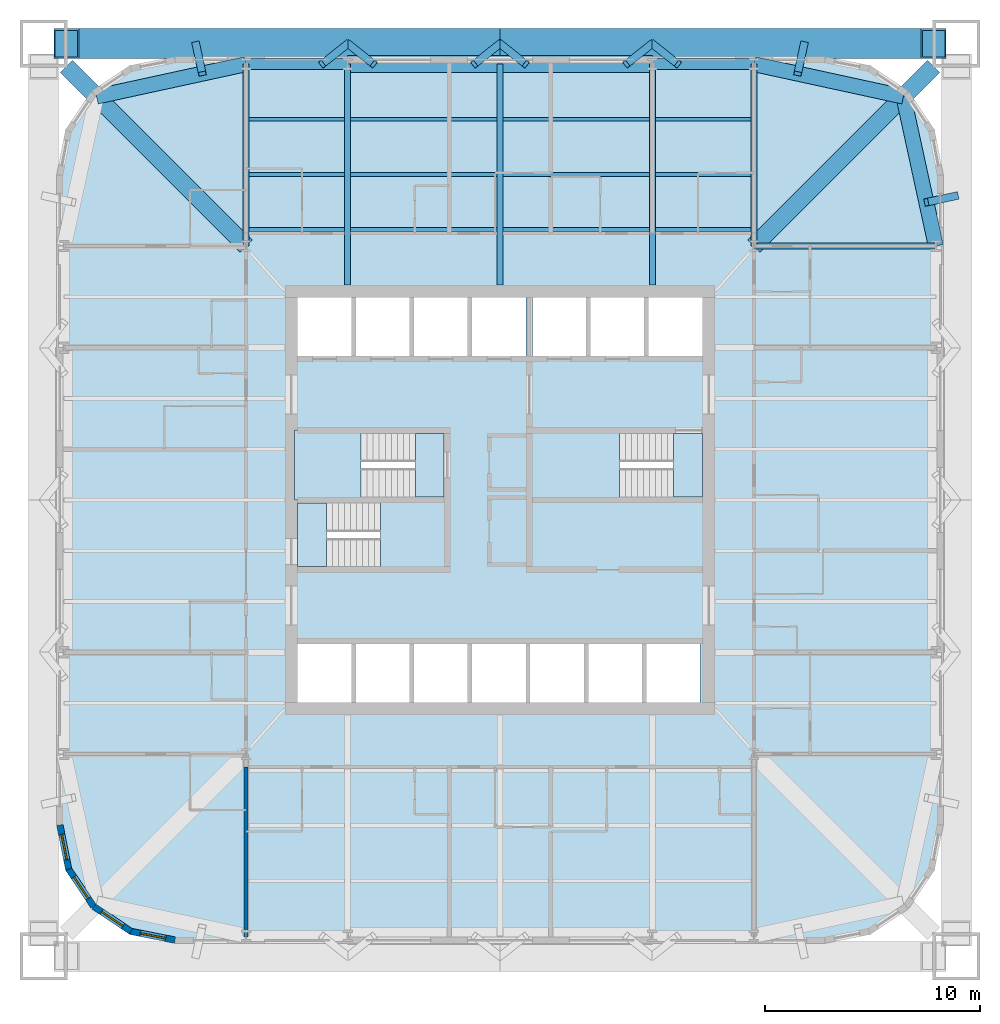
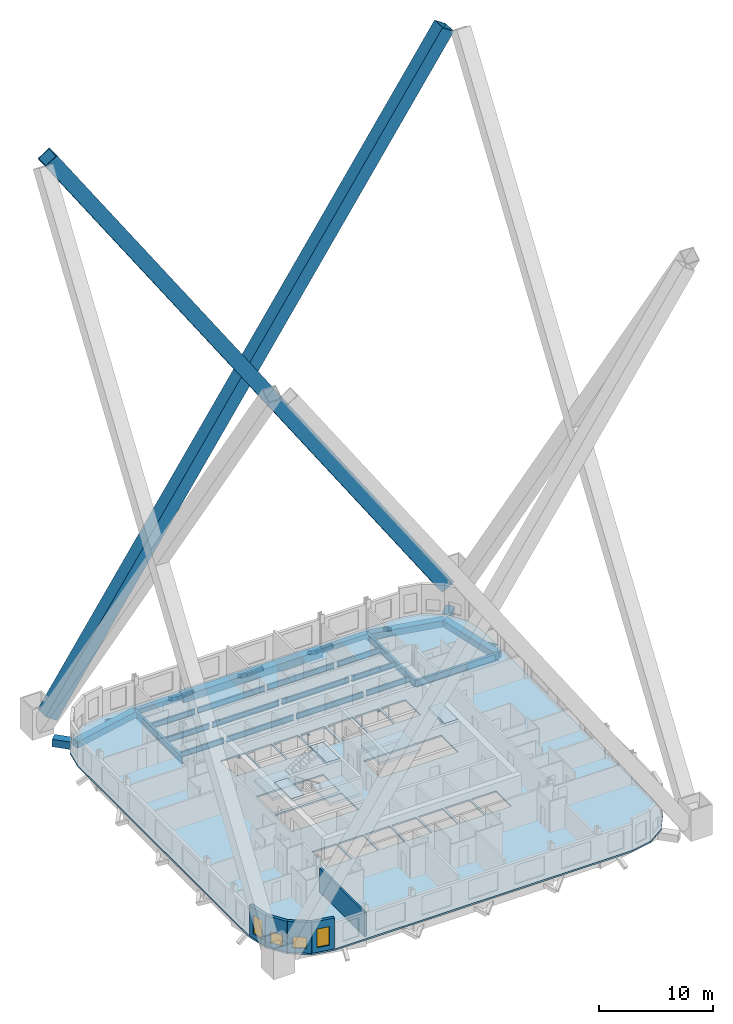
# One storey, part 2 of 9: 35 beams, 7 slabs, 5 walls, 4 windows, 2 members, 4 openings, 3 elements without a shape of their own.
"""IFC4 building model written with IfcOpenShell, lengths in metres."""

from ifc_helpers import new_model, si_unit, direction, frame, frame_2d, origin, origin_2d, place, context, subcontext, project, spatial, polyline, rectangle, hollow_rectangle, i_section, outline, extrude, material, layer, layer_set, material_profile, profile_set, type_object, element, fill, aggregate, save


model = new_model("IFC4")

# Units and contexts
model_context = context("Model", 3, precision=1e-05, world=origin(), true_north=direction((0.0, 1.0)))
body_context = subcontext(model_context, "Body", "Model", "MODEL_VIEW")
ifc_project = project(units=[si_unit("LENGTHUNIT", "METRE"), si_unit("AREAUNIT", "SQUARE_METRE"), si_unit("VOLUMEUNIT", "CUBIC_METRE"), si_unit("PLANEANGLEUNIT", "RADIAN"), si_unit("MASSUNIT", "GRAM", prefix="KILO")], contexts=[model_context])

# Site, building, storey
site_placement = place(None, origin())
site = spatial("IfcSite", under=ifc_project, at=site_placement, CompositionType="ELEMENT")
building_placement = place(site_placement, origin())
building = spatial("IfcBuilding", under=site, at=building_placement, Name="Turquesa Mirador Hotel Tower", CompositionType="ELEMENT")
storey_placement = place(building_placement, frame((0.0, 0.0, 93.39990234375)))
storey = spatial("IfcBuildingStorey", under=building, at=storey_placement, Name="L24", CompositionType="ELEMENT", Elevation=93.39990234375)

# Beams
ifc_material_1 = material(Name="Steel ASTM A572 Grade 50", Category="steel")
ifc_material_profile_1 = material_profile(ifc_material_1, hollow_rectangle(XDim=0.5, YDim=0.5, WallThickness=0.031982421875, at=origin_2d()), Name="BOX500X500X32")
ifc_profile_set_1 = profile_set([ifc_material_profile_1], Name="Steel ASTM A572 Grade 50")
beam_type_1 = type_object("IfcBeamType", Name="BEAM BOX500X500X32", PredefinedType="BEAM", material=ifc_profile_set_1)
for number, where, z_axis, x_axis, name in (
    (1, (43.199951171875, 65.25, -0.419921875), (1.0, 0.0, 0.0), (0.0, 1.0, 0.0), "EB-L24-N-L"),
    (2, (62.080078125, 65.25, -0.419921875), (1.0, 0.0, 0.0), (0.0, 1.0, 0.0), "EB-L24-N-R"),
):
    element("IfcBeam", number, at=place(storey_placement, frame(where, z_axis=z_axis, x_axis=x_axis)), inside=storey, type_object=beam_type_1, Name=name, PredefinedType="BEAM", context=body_context, shape_type="SweptSolid", body=[
        extrude(hollow_rectangle(XDim=0.5, YDim=0.5, WallThickness=0.031982421875, at=origin_2d()), origin(), (0.0, 0.0, 1.0), 4.719970703125),
    ])
ifc_material_2 = material(Name="Steel ASTM A572 Grade 50", Category="steel")
ifc_material_profile_2 = material_profile(ifc_material_2, hollow_rectangle(XDim=0.699951171875, YDim=0.699951171875, WallThickness=0.044921875, at=origin_2d()), Name="BOX700X700X45")
ifc_profile_set_2 = profile_set([ifc_material_profile_2], Name="Steel ASTM A572 Grade 50")
beam_type_2 = type_object("IfcBeamType", Name="BEAM BOX700X700X45", PredefinedType="BEAM", material=ifc_profile_set_2)
for number, where, z_axis, x_axis, name in (
    (3, (75.25, 56.800048828125, -0.52001953125), (-0.212328336885, 0.977198381781, 0.0), (-0.977198381781, -0.212328336885, 0.0), "KE-L24-1-0"),
    (4, (73.74169921875, 63.74169921875, -0.52001953125), (-0.977198381781, 0.212328336885, 0.0), (-0.212328336885, -0.977198381781, 0.0), "KE-L24-1-1"),
    (5, (36.25830078125, 63.74169921875, -0.52001953125), (0.977198381781, 0.212328336885, 0.0), (-0.212328336885, 0.977198381781, 0.0), "KE-L24-2-1"),
):
    element("IfcBeam", number, at=place(storey_placement, frame(where, z_axis=z_axis, x_axis=x_axis)), inside=storey, type_object=beam_type_2, Name=name, PredefinedType="BEAM", context=body_context, shape_type="SweptSolid", body=[
        extrude(hollow_rectangle(XDim=0.699951171875, YDim=0.699951171875, WallThickness=0.044921875, at=origin_2d()), origin(), (0.0, 0.0, 1.0), 7.103515625),
    ])
ifc_material_3 = material(Name="Steel ASTM A572 Grade 50", Category="steel")
ifc_material_profile_3 = material_profile(ifc_material_3, hollow_rectangle(XDim=0.800048828125, YDim=0.800048828125, WallThickness=0.030029296875, at=origin_2d()), Name="BOX800X800X30")
ifc_profile_set_3 = profile_set([ifc_material_profile_3], Name="Steel ASTM A572 Grade 50")
beam_type_3 = type_object("IfcBeamType", Name="BEAM BOX800X800X30", PredefinedType="BEAM", material=ifc_profile_set_3)
beam_1_placement = place(storey_placement, frame((47.919921875, 65.25, -0.56982421875), z_axis=(1.0, 0.0, 0.0), x_axis=(0.0, 1.0, 0.0)))
element("IfcBeam", 6, at=beam_1_placement, inside=storey, type_object=beam_type_3, Name="EB-L24-N-C", PredefinedType="BEAM", context=body_context, shape_type="SweptSolid", body=[
    extrude(hollow_rectangle(XDim=0.800048828125, YDim=0.800048828125, WallThickness=0.030029296875, at=origin_2d()), origin(), (0.0, 0.0, 1.0), 14.16015625),
])
ifc_material_4 = material(Name="Steel ASTM A572 Grade 50", Category="steel")
ifc_material_profile_4 = material_profile(ifc_material_4, hollow_rectangle(XDim=0.800048828125, YDim=0.800048828125, WallThickness=0.050048828125, at=origin_2d()), Name="BOX800X800X50")
ifc_profile_set_4 = profile_set([ifc_material_profile_4], Name="Steel ASTM A572 Grade 50")
beam_type_4 = type_object("IfcBeamType", Name="BEAM BOX800X800X50", PredefinedType="BEAM", material=ifc_profile_set_4)
for number, where, z_axis, x_axis, name in (
    (7, (66.800048828125, 56.800048828125, -0.56982421875), (0.707106781187, 0.707106781187, 0.0), (-0.707106781187, 0.707106781187, 0.0), "KD-L24-1"),
    (8, (43.199951171875, 56.800048828125, -0.56982421875), (-0.707106781187, 0.707106781187, 0.0), (-0.707106781187, -0.707106781187, 0.0), "KD-L24-2"),
):
    element("IfcBeam", number, at=place(storey_placement, frame(where, z_axis=z_axis, x_axis=x_axis)), inside=storey, type_object=beam_type_4, Name=name, PredefinedType="BEAM", context=body_context, shape_type="SweptSolid", body=[
        extrude(hollow_rectangle(XDim=0.800048828125, YDim=0.800048828125, WallThickness=0.050048828125, at=origin_2d()), origin(), (0.0, 0.0, 1.0), 11.80859375),
    ])
ifc_material_5 = material(Name="Steel ASTM A992 Grade 50", Category="steel")
ifc_material_profile_5 = material_profile(ifc_material_5, i_section(OverallWidth=0.177978515625, OverallDepth=0.599365234375, WebThickness=0.010009765625, FlangeThickness=0.012939453125, at=origin_2d()), Name="W24X55")
ifc_profile_set_5 = profile_set([ifc_material_profile_5], Name="Steel ASTM A992 Grade 50")
beam_type_5 = type_object("IfcBeamType", Name="BEAM W24X55", PredefinedType="BEAM", material=ifc_profile_set_5)
beam_2_placement = place(storey_placement, frame((43.333251953125, 57.56201171875, -0.4697265625), z_axis=(1.0, 0.0, 0.0), x_axis=(0.0, 1.0, 0.0)))
element("IfcBeam", 9, at=beam_2_placement, inside=storey, type_object=beam_type_5, Name="IB-L24-N-1-0", PredefinedType="BEAM", context=body_context, shape_type="SweptSolid", body=[
    extrude(i_section(OverallWidth=0.177978515625, OverallDepth=0.599365234375, WebThickness=0.010009765625, FlangeThickness=0.012939453125, at=origin_2d()), origin(), (0.0, 0.0, 1.0), 4.453369140625),
])
for number, where, z_axis, x_axis, name in (
    (10, (48.053466796875, 57.56201171875, -0.4697265625), (1.0, 0.0, 0.0), (0.0, 1.0, 0.0), "IB-L24-N-1-1"),
    (11, (55.13330078125, 57.56201171875, -0.4697265625), (1.0, 0.0, 0.0), (0.0, 1.0, 0.0), "IB-L24-N-1-2"),
):
    element("IfcBeam", number, at=place(storey_placement, frame(where, z_axis=z_axis, x_axis=x_axis)), inside=storey, type_object=beam_type_5, Name=name, PredefinedType="BEAM", context=body_context, shape_type="SweptSolid", body=[
        extrude(i_section(OverallWidth=0.177978515625, OverallDepth=0.599365234375, WebThickness=0.010009765625, FlangeThickness=0.012939453125, at=origin_2d()), origin(), (0.0, 0.0, 1.0), 6.813232421875),
    ])
for number, where, z_axis, x_axis, name in (
    (12, (62.21337890625, 57.56201171875, -0.4697265625), (1.0, 0.0, 0.0), (0.0, 1.0, 0.0), "IB-L24-N-1-3"),
    (13, (43.333251953125, 60.125, -0.4697265625), (1.0, 0.0, 0.0), (0.0, 1.0, 0.0), "IB-L24-N-2-0"),
):
    element("IfcBeam", number, at=place(storey_placement, frame(where, z_axis=z_axis, x_axis=x_axis)), inside=storey, type_object=beam_type_5, Name=name, PredefinedType="BEAM", context=body_context, shape_type="SweptSolid", body=[
        extrude(i_section(OverallWidth=0.177978515625, OverallDepth=0.599365234375, WebThickness=0.010009765625, FlangeThickness=0.012939453125, at=origin_2d()), origin(), (0.0, 0.0, 1.0), 4.453369140625),
    ])
for number, where, z_axis, x_axis, name in (
    (14, (48.053466796875, 60.125, -0.4697265625), (1.0, 0.0, 0.0), (0.0, 1.0, 0.0), "IB-L24-N-2-1"),
    (15, (55.13330078125, 60.125, -0.4697265625), (1.0, 0.0, 0.0), (0.0, 1.0, 0.0), "IB-L24-N-2-2"),
):
    element("IfcBeam", number, at=place(storey_placement, frame(where, z_axis=z_axis, x_axis=x_axis)), inside=storey, type_object=beam_type_5, Name=name, PredefinedType="BEAM", context=body_context, shape_type="SweptSolid", body=[
        extrude(i_section(OverallWidth=0.177978515625, OverallDepth=0.599365234375, WebThickness=0.010009765625, FlangeThickness=0.012939453125, at=origin_2d()), origin(), (0.0, 0.0, 1.0), 6.813232421875),
    ])
for number, where, z_axis, x_axis, name in (
    (16, (62.21337890625, 60.125, -0.4697265625), (1.0, 0.0, 0.0), (0.0, 1.0, 0.0), "IB-L24-N-2-3"),
    (17, (43.333251953125, 62.68798828125, -0.4697265625), (1.0, 0.0, 0.0), (0.0, 1.0, 0.0), "IB-L24-N-3-0"),
):
    element("IfcBeam", number, at=place(storey_placement, frame(where, z_axis=z_axis, x_axis=x_axis)), inside=storey, type_object=beam_type_5, Name=name, PredefinedType="BEAM", context=body_context, shape_type="SweptSolid", body=[
        extrude(i_section(OverallWidth=0.177978515625, OverallDepth=0.599365234375, WebThickness=0.010009765625, FlangeThickness=0.012939453125, at=origin_2d()), origin(), (0.0, 0.0, 1.0), 4.453369140625),
    ])
for number, where, z_axis, x_axis, name in (
    (18, (48.053466796875, 62.68798828125, -0.4697265625), (1.0, 0.0, 0.0), (0.0, 1.0, 0.0), "IB-L24-N-3-1"),
    (19, (55.13330078125, 62.68798828125, -0.4697265625), (1.0, 0.0, 0.0), (0.0, 1.0, 0.0), "IB-L24-N-3-2"),
):
    element("IfcBeam", number, at=place(storey_placement, frame(where, z_axis=z_axis, x_axis=x_axis)), inside=storey, type_object=beam_type_5, Name=name, PredefinedType="BEAM", context=body_context, shape_type="SweptSolid", body=[
        extrude(i_section(OverallWidth=0.177978515625, OverallDepth=0.599365234375, WebThickness=0.010009765625, FlangeThickness=0.012939453125, at=origin_2d()), origin(), (0.0, 0.0, 1.0), 6.813232421875),
    ])
beam_3_placement = place(storey_placement, frame((62.21337890625, 62.68798828125, -0.4697265625), z_axis=(1.0, 0.0, 0.0), x_axis=(0.0, 1.0, 0.0)))
element("IfcBeam", 20, at=beam_3_placement, inside=storey, type_object=beam_type_5, Name="IB-L24-N-3-3", PredefinedType="BEAM", context=body_context, shape_type="SweptSolid", body=[
    extrude(i_section(OverallWidth=0.177978515625, OverallDepth=0.599365234375, WebThickness=0.010009765625, FlangeThickness=0.012939453125, at=origin_2d()), origin(), (0.0, 0.0, 1.0), 4.453369140625),
])
ifc_material_6 = material(Name="Steel ASTM A992 Grade 50", Category="steel")
ifc_material_profile_6 = material_profile(ifc_material_6, i_section(OverallWidth=0.2666015625, OverallDepth=0.7568359375, WebThickness=0.013916015625, FlangeThickness=0.019287109375, at=origin_2d()), Name="W30X108")
ifc_profile_set_6 = profile_set([ifc_material_profile_6], Name="Steel ASTM A992 Grade 50")
beam_type_6 = type_object("IfcBeamType", Name="BEAM W30X108", PredefinedType="BEAM", material=ifc_profile_set_6)
for number, where, z_axis, x_axis, name in (
    (21, (47.919921875, 65.25, -0.54833984375), (0.0, -1.0, 0.0), (1.0, 0.0, 0.0), "GD-L24-N--7.08"),
    (22, (62.080078125, 65.25, -0.54833984375), (0.0, -1.0, 0.0), (1.0, 0.0, 0.0), "GD-L24-N-+7.08"),
    (23, (55.0, 65.25, -0.54833984375), (0.0, -1.0, 0.0), (1.0, 0.0, 0.0), "GD-L24-N-+0.00"),
):
    element("IfcBeam", number, at=place(storey_placement, frame(where, z_axis=z_axis, x_axis=x_axis)), inside=storey, type_object=beam_type_6, Name=name, PredefinedType="BEAM", context=body_context, shape_type="SweptSolid", body=[
        extrude(i_section(OverallWidth=0.2666015625, OverallDepth=0.7568359375, WebThickness=0.013916015625, FlangeThickness=0.019287109375, at=origin_2d()), origin(), (0.0, 0.0, 1.0), 10.25),
    ])
for number, where, z_axis, x_axis, name in (
    (24, (43.199951171875, 65.25, -0.54833984375), (0.0, -1.0, 0.0), (1.0, 0.0, 0.0), "GK-L24-N--11.80"),
    (25, (66.800048828125, 65.25, -0.54833984375), (0.0, -1.0, 0.0), (1.0, 0.0, 0.0), "GK-L24-N-+11.80"),
    (26, (75.25, 56.800048828125, -0.54833984375), (-1.0, 0.0, 0.0), (0.0, -1.0, 0.0), "GK-L24-E-+11.80"),
):
    element("IfcBeam", number, at=place(storey_placement, frame(where, z_axis=z_axis, x_axis=x_axis)), inside=storey, type_object=beam_type_6, Name=name, PredefinedType="BEAM", context=body_context, shape_type="SweptSolid", body=[
        extrude(i_section(OverallWidth=0.2666015625, OverallDepth=0.7568359375, WebThickness=0.013916015625, FlangeThickness=0.019287109375, at=origin_2d()), origin(), (0.0, 0.0, 1.0), 8.449951171875),
    ])
ifc_material_7 = material(Name="Steel ASTM A500 Grade C", Category="steel")
ifc_material_profile_7 = material_profile(ifc_material_7, hollow_rectangle(XDim=0.355712890625, YDim=0.355712890625, WallThickness=0.0146484375, at=origin_2d()), Name="HSS14X14X5/8")
ifc_profile_set_7 = profile_set([ifc_material_profile_7], Name="Steel ASTM A500 Grade C")
beam_type_7 = type_object("IfcBeamType", Name="BRACE STRUT HSS14X14X5/8", PredefinedType="BEAM", material=ifc_profile_set_7)
beam_4_placement = place(storey_placement, frame((40.86669921875, 66.199951171875, -1.199951171875), z_axis=(0.182140919677, -0.838466156089, 0.513613853467), x_axis=(0.977208851358, 0.21228014704, 0.0)))
element("IfcBeam", 27, at=beam_4_placement, inside=storey, type_object=beam_type_7, Name="Brace strut", PredefinedType="BEAM", context=body_context, shape_type="SweptSolid", body=[
    extrude(hollow_rectangle(XDim=0.355712890625, YDim=0.355712890625, WallThickness=0.0146484375, at=origin_2d()), origin(), (0.0, 0.0, 1.0), 1.659423828125),
])
for number, where, z_axis, x_axis, name in (
    (28, (47.933349609375, 66.199951171875, -1.199951171875), (-0.684993724285, -0.542280891392, 0.486533691044), (0.620698858423, -0.784049059149, 0.0), "Brace strut"),
    (29, (47.933349609375, 66.199951171875, -1.199951171875), (0.684993724285, -0.542280891392, 0.486533691044), (0.620698858423, 0.784049059149, 0.0), "Brace strut"),
    (30, (55.0, 66.199951171875, -1.199951171875), (-0.684993724285, -0.542280891392, 0.486533691044), (0.620698858423, -0.784049059149, 0.0), "Brace strut"),
    (31, (55.0, 66.199951171875, -1.199951171875), (0.684993724285, -0.542280891392, 0.486533691044), (0.620698858423, 0.784049059149, 0.0), "Brace strut"),
    (32, (62.066650390625, 66.199951171875, -1.199951171875), (-0.684993724285, -0.542280891392, 0.486533691044), (0.620698858423, -0.784049059149, 0.0), "Brace strut"),
    (33, (62.066650390625, 66.199951171875, -1.199951171875), (0.684993724285, -0.542280891392, 0.486533691044), (0.620698858423, 0.784049059149, 0.0), "Brace strut"),
):
    element("IfcBeam", number, at=place(storey_placement, frame(where, z_axis=z_axis, x_axis=x_axis)), inside=storey, type_object=beam_type_7, Name=name, PredefinedType="BEAM", context=body_context, shape_type="SweptSolid", body=[
        extrude(hollow_rectangle(XDim=0.355712890625, YDim=0.355712890625, WallThickness=0.0146484375, at=origin_2d()), origin(), (0.0, 0.0, 1.0), 1.751708984375),
    ])
for number, where, z_axis, x_axis, name in (
    (34, (69.13330078125, 66.199951171875, -1.199951171875), (-0.182140919677, -0.838466156089, 0.513613853467), (0.977208851358, -0.21228014704, 0.0), "Brace strut"),
    (35, (76.199951171875, 59.13330078125, -1.199951171875), (-0.838466156089, -0.182140919677, 0.513613853467), (0.21228014704, -0.977208851358, 0.0), "Brace strut"),
):
    element("IfcBeam", number, at=place(storey_placement, frame(where, z_axis=z_axis, x_axis=x_axis)), inside=storey, type_object=beam_type_7, Name=name, PredefinedType="BEAM", context=body_context, shape_type="SweptSolid", body=[
        extrude(hollow_rectangle(XDim=0.355712890625, YDim=0.355712890625, WallThickness=0.0146484375, at=origin_2d()), origin(), (0.0, 0.0, 1.0), 1.659423828125),
    ])

# Members
ifc_material_8 = material(Name="Steel ASTM A572 Grade 50", Category="steel")
ifc_material_profile_8 = material_profile(ifc_material_8, hollow_rectangle(XDim=1.39990234375, YDim=1.39990234375, WallThickness=0.080078125, at=origin_2d()), Name="BOX1400X1400X80")
ifc_profile_set_8 = profile_set([ifc_material_profile_8], Name="Steel ASTM A572 Grade 50")
member_type = type_object("IfcMemberType", Name="MEGA BRACE BOX1400X1400X80", PredefinedType="BRACE", material=ifc_profile_set_8)
for number, where, z_axis, x_axis, name in (
    (36, (34.85009765625, 66.199951171875, 1.560302734375), (0.558340151614, 0.0, 0.829612123282), (0.0, 1.0, 0.0), "Mega brace Z2 N 1"),
    (37, (75.14990234375, 66.199951171875, 1.560302734375), (-0.558340151614, 0.0, 0.829612123282), (0.0, -1.0, 0.0), "Mega brace Z2 N 2"),
):
    element("IfcMember", number, at=place(storey_placement, frame(where, z_axis=z_axis, x_axis=x_axis)), inside=storey, type_object=member_type, Name=name, PredefinedType="BRACE", context=body_context, shape_type="SweptSolid", body=[
        extrude(hollow_rectangle(XDim=1.39990234375, YDim=1.39990234375, WallThickness=0.080078125, at=origin_2d()), origin(), (0.0, 0.0, 1.0), 72.177978515625),
    ])

# Slab
ifc_material_9 = material(Name="Concrete C28/35", Category="concrete")
ifc_layer_1 = layer(ifc_material_9, 0.169921875)
ifc_layer_set_1 = layer_set([ifc_layer_1], Name="COMPOSITE FLOOR SLAB 170")
slab_type_1 = type_object("IfcSlabType", Name="COMPOSITE FLOOR SLAB 170", PredefinedType="FLOOR", material=ifc_layer_set_1)
slab_1_placement = place(storey_placement, frame((0.0, 0.0, -0.169921875)))
element("IfcSlab", 38, at=slab_1_placement, inside=storey, type_object=slab_type_1, Name="Floor slab L24", PredefinedType="FLOOR", context=body_context, shape_type="SweptSolid", body=[
    extrude(outline(polyline([(70.10009765625, 24.39990234375), (72.204833984375, 24.818603515625), (73.989013671875, 26.010986328125), (75.181396484375, 27.795166015625), (75.60009765625, 29.89990234375), (75.60009765625, 60.10009765625), (75.181396484375, 62.204833984375), (73.989013671875, 63.989013671875), (72.204833984375, 65.181396484375), (70.10009765625, 65.60009765625), (39.89990234375, 65.60009765625), (37.795166015625, 65.181396484375), (36.010986328125, 63.989013671875), (34.818603515625, 62.204833984375), (34.39990234375, 60.10009765625), (34.39990234375, 29.89990234375), (34.818603515625, 27.795166015625), (36.010986328125, 26.010986328125), (37.795166015625, 24.818603515625), (39.89990234375, 24.39990234375), (70.10009765625, 24.39990234375)]), holes=[polyline([(45.60009765625, 51.699951171875), (48.10009765625, 51.699951171875), (48.10009765625, 54.39990234375), (45.60009765625, 54.39990234375), (45.60009765625, 51.699951171875)]), polyline([(48.300048828125, 51.699951171875), (50.800048828125, 51.699951171875), (50.800048828125, 54.39990234375), (48.300048828125, 54.39990234375), (48.300048828125, 51.699951171875)]), polyline([(51.0, 51.699951171875), (53.5, 51.699951171875), (53.5, 54.39990234375), (51.0, 54.39990234375), (51.0, 51.699951171875)]), polyline([(53.699951171875, 51.699951171875), (56.199951171875, 51.699951171875), (56.199951171875, 54.39990234375), (53.699951171875, 54.39990234375), (53.699951171875, 51.699951171875)]), polyline([(56.5, 51.699951171875), (59.0, 51.699951171875), (59.0, 54.39990234375), (56.5, 54.39990234375), (56.5, 51.699951171875)]), polyline([(59.199951171875, 51.699951171875), (61.699951171875, 51.699951171875), (61.699951171875, 54.39990234375), (59.199951171875, 54.39990234375), (59.199951171875, 51.699951171875)]), polyline([(45.60009765625, 35.60009765625), (48.10009765625, 35.60009765625), (48.10009765625, 38.300048828125), (45.60009765625, 38.300048828125), (45.60009765625, 35.60009765625)]), polyline([(48.300048828125, 35.60009765625), (50.800048828125, 35.60009765625), (50.800048828125, 38.300048828125), (48.300048828125, 38.300048828125), (48.300048828125, 35.60009765625)]), polyline([(51.0, 35.60009765625), (53.5, 35.60009765625), (53.5, 38.300048828125), (51.0, 38.300048828125), (51.0, 35.60009765625)]), polyline([(53.699951171875, 35.60009765625), (56.199951171875, 35.60009765625), (56.199951171875, 38.300048828125), (53.699951171875, 38.300048828125), (53.699951171875, 35.60009765625)]), polyline([(56.39990234375, 35.60009765625), (58.89990234375, 35.60009765625), (58.89990234375, 38.300048828125), (56.39990234375, 38.300048828125), (56.39990234375, 35.60009765625)]), polyline([(59.10009765625, 35.60009765625), (61.60009765625, 35.60009765625), (61.60009765625, 38.300048828125), (59.10009765625, 38.300048828125), (59.10009765625, 35.60009765625)]), polyline([(61.800048828125, 35.60009765625), (64.300048828125, 35.60009765625), (64.300048828125, 38.300048828125), (61.800048828125, 38.300048828125), (61.800048828125, 35.60009765625)]), polyline([(45.60009765625, 45.14990234375), (52.39990234375, 45.14990234375), (52.39990234375, 48.10009765625), (45.60009765625, 48.10009765625), (45.60009765625, 45.14990234375)]), polyline([(45.60009765625, 41.89990234375), (52.39990234375, 41.89990234375), (52.39990234375, 44.85009765625), (45.60009765625, 44.85009765625), (45.60009765625, 41.89990234375)]), polyline([(56.5, 45.14990234375), (64.39990234375, 45.14990234375), (64.39990234375, 48.10009765625), (56.5, 48.10009765625), (56.5, 45.14990234375)]), polyline([(61.89990234375, 51.699951171875), (64.39990234375, 51.699951171875), (64.39990234375, 54.39990234375), (61.89990234375, 54.39990234375), (61.89990234375, 51.699951171875)])]), origin(), (0.0, 0.0, 1.0), 0.169921875),
])

# Stair, slabs
ifc_material_10 = material(Name="Concrete C35/45", Category="concrete")
stair_type = type_object("IfcStairType", Name="ESCAPE STAIR CORE", PredefinedType="HALF_TURN_STAIR", material=ifc_material_10)
stair_1_placement = place(storey_placement, origin())
stair_1 = element("IfcStair", 39, at=stair_1_placement, inside=storey, type_object=stair_type, Name="Stair ST1 L24 to L25", PredefinedType="HALF_TURN_STAIR")
ifc_material_11 = material(Name="Concrete C35/45", Category="concrete")
ifc_layer_2 = layer(ifc_material_11, 0.300048828125)
ifc_layer_set_2 = layer_set([ifc_layer_2], Name="STAIR LANDING 300")
slab_type_2 = type_object("IfcSlabType", Name="STAIR LANDING 300", PredefinedType="LANDING", material=ifc_layer_set_2)
slab_2_placement = place(storey_placement, frame((0.0, 0.0, 1.4501953125)))
slab_2 = element("IfcSlab", 40, at=slab_2_placement, type_object=slab_type_2, Name="ST1 landing 1", PredefinedType="LANDING", context=body_context, shape_type="SweptSolid", body=[
    extrude(outline(polyline([(45.449951171875, 45.0), (48.550048828125, 45.0), (48.550048828125, 48.25), (45.449951171875, 48.25), (45.449951171875, 45.0)])), origin(), (0.0, 0.0, 1.0), 0.2998046875),
])
slab_3_placement = place(storey_placement, frame((0.0, 0.0, 3.2001953125)))
slab_3 = element("IfcSlab", 41, at=slab_3_placement, type_object=slab_type_2, Name="ST1 landing 2", PredefinedType="LANDING", context=body_context, shape_type="SweptSolid", body=[
    extrude(outline(polyline([(51.070068359375, 45.14990234375), (52.39990234375, 45.14990234375), (52.39990234375, 48.10009765625), (51.070068359375, 48.10009765625), (51.070068359375, 45.14990234375)])), origin(), (0.0, 0.0, 1.0), 0.2998046875),
])
aggregate(stair_1, [slab_2, slab_3])

stair_2_placement = place(storey_placement, origin())
stair_2 = element("IfcStair", 42, at=stair_2_placement, inside=storey, type_object=stair_type, Name="Stair ST2 L24 to L25", PredefinedType="HALF_TURN_STAIR")
slab_4_placement = place(storey_placement, frame((0.0, 0.0, 1.4501953125)))
slab_4 = element("IfcSlab", 43, at=slab_4_placement, type_object=slab_type_2, Name="ST2 landing 1", PredefinedType="LANDING", context=body_context, shape_type="SweptSolid", body=[
    extrude(outline(polyline([(52.550048828125, 45.0), (49.449951171875, 45.0), (49.449951171875, 41.75), (52.550048828125, 41.75), (52.550048828125, 45.0)])), origin(), (0.0, 0.0, 1.0), 0.2998046875),
])
slab_5_placement = place(storey_placement, frame((0.0, 0.0, 3.2001953125)))
slab_5 = element("IfcSlab", 44, at=slab_5_placement, type_object=slab_type_2, Name="ST2 landing 2", PredefinedType="LANDING", context=body_context, shape_type="SweptSolid", body=[
    extrude(outline(polyline([(46.929931640625, 44.85009765625), (45.60009765625, 44.85009765625), (45.60009765625, 41.89990234375), (46.929931640625, 41.89990234375), (46.929931640625, 44.85009765625)])), origin(), (0.0, 0.0, 1.0), 0.2998046875),
])
aggregate(stair_2, [slab_4, slab_5])

stair_3_placement = place(storey_placement, origin())
stair_3 = element("IfcStair", 45, at=stair_3_placement, inside=storey, type_object=stair_type, Name="Stair ST3 L24 to L25", PredefinedType="HALF_TURN_STAIR")
slab_6_placement = place(storey_placement, frame((0.0, 0.0, 1.4501953125)))
slab_6 = element("IfcSlab", 46, at=slab_6_placement, type_object=slab_type_2, Name="ST3 landing 1", PredefinedType="LANDING", context=body_context, shape_type="SweptSolid", body=[
    extrude(outline(polyline([(56.35009765625, 45.0), (60.550048828125, 45.0), (60.550048828125, 48.25), (56.35009765625, 48.25), (56.35009765625, 45.0)])), origin(), (0.0, 0.0, 1.0), 0.2998046875),
])
slab_7_placement = place(storey_placement, frame((0.0, 0.0, 3.2001953125)))
slab_7 = element("IfcSlab", 47, at=slab_7_placement, type_object=slab_type_2, Name="ST3 landing 2", PredefinedType="LANDING", context=body_context, shape_type="SweptSolid", body=[
    extrude(outline(polyline([(63.070068359375, 45.14990234375), (64.39990234375, 45.14990234375), (64.39990234375, 48.10009765625), (63.070068359375, 48.10009765625), (63.070068359375, 45.14990234375)])), origin(), (0.0, 0.0, 1.0), 0.2998046875),
])
aggregate(stair_3, [slab_6, slab_7])

# Wall, opening, window
ifc_material_12 = material(Name="Limestone cladding on concrete block", Category="masonry")
ifc_layer_3 = layer(ifc_material_12, 0.300048828125)
ifc_layer_set_3 = layer_set([ifc_layer_3], Name="FACADE WALL 300 STONE SCREEN")
wall_type_1 = type_object("IfcWallType", Name="FACADE WALL 300 STONE SCREEN", PredefinedType="SOLIDWALL", material=ifc_layer_set_3)
wall_1_placement = place(storey_placement, frame((34.550048828125, 29.89990234375, 0.0), z_axis=(0.0, 0.0, 1.0), x_axis=(0.195081421501, -0.980787050784, 0.0)))
wall_1 = element("IfcWall", 48, at=wall_1_placement, inside=storey, type_object=wall_type_1, Name="Facade wall L24 15", PredefinedType="SOLIDWALL", context=body_context, shape_type="SweptSolid", body=[
    extrude(rectangle(XDim=2.08740234375, YDim=0.300048828125, at=frame_2d((1.043701171875, 0.0))), origin(), (0.0, 0.0, 1.0), 3.330078125),
])
opening_1_placement = place(wall_1_placement, frame((0.443603515625, 0.0, 0.5)))
opening_1 = element("IfcOpeningElement", 49, at=opening_1_placement, cuts=wall_1, Name="Opening WN4", PredefinedType="OPENING", context=body_context, shape_type="SweptSolid", body=[
    extrude(rectangle(XDim=1.199951171875, YDim=2.0, at=frame_2d((0.60009765625, 1.0))), frame((0.0, 0.159912109375, 0.0), z_axis=(0.0, -1.0, 0.0), x_axis=(1.0, 0.0, 0.0)), (0.0, 0.0, 1.0), 0.320068359375),
])
ifc_material_13 = material(Name="Ceramic-fritted laminated glass", Category="glass")
window_type_1 = type_object("IfcWindowType", Name="FRITTED CORNER WINDOW 1200X2000", PartitioningType="DOUBLE_PANEL_HORIZONTAL", PredefinedType="WINDOW", material=ifc_material_13)
window_1_placement = place(opening_1_placement, origin())
window_1 = element("IfcWindow", 50, at=window_1_placement, inside=storey, type_object=window_type_1, Name="Window L24", OverallHeight=2.0, OverallWidth=1.199951171875, PartitioningType="SINGLE_PANEL", PredefinedType="WINDOW", context=body_context, shape_type="SweptSolid", body=[
    extrude(rectangle(XDim=1.199951171875, YDim=2.0, at=frame_2d((0.60009765625, 1.0))), frame((0.0, 0.030029296875, 0.0), z_axis=(0.0, -1.0, 0.0), x_axis=(1.0, 0.0, 0.0)), (0.0, 0.0, 1.0), 0.06005859375),
])
fill(opening_1, window_1)

wall_2_placement = place(storey_placement, frame((34.957275390625, 27.8525390625, 0.0), z_axis=(0.0, 0.0, 1.0), x_axis=(0.555563607591, -0.831474039234, 0.0)))
wall_2 = element("IfcWall", 51, at=wall_2_placement, inside=storey, type_object=wall_type_1, Name="Facade wall L24 16", PredefinedType="SOLIDWALL", context=body_context, shape_type="SweptSolid", body=[
    extrude(rectangle(XDim=2.08740234375, YDim=0.300048828125, at=frame_2d((1.043701171875, 0.0))), origin(), (0.0, 0.0, 1.0), 3.330078125),
])
opening_2_placement = place(wall_2_placement, frame((0.443603515625, 0.0, 0.5)))
opening_2 = element("IfcOpeningElement", 52, at=opening_2_placement, cuts=wall_2, Name="Opening WN23", PredefinedType="OPENING", context=body_context, shape_type="SweptSolid", body=[
    extrude(rectangle(XDim=1.199951171875, YDim=1.199951171875, at=frame_2d((0.60009765625, 0.60009765625))), frame((0.0, 0.159912109375, 0.0), z_axis=(0.0, -1.0, 0.0), x_axis=(1.0, 0.0, 0.0)), (0.0, 0.0, 1.0), 0.320068359375),
])
ifc_material_14 = material(Name="Ceramic-fritted laminated glass", Category="glass")
window_type_2 = type_object("IfcWindowType", Name="FRITTED CORNER WINDOW 1200X1200", PartitioningType="DOUBLE_PANEL_HORIZONTAL", PredefinedType="WINDOW", material=ifc_material_14)
window_2_placement = place(opening_2_placement, origin())
window_2 = element("IfcWindow", 53, at=window_2_placement, inside=storey, type_object=window_type_2, Name="Window L24", OverallHeight=1.199951171875, OverallWidth=1.199951171875, PartitioningType="SINGLE_PANEL", PredefinedType="WINDOW", context=body_context, shape_type="SweptSolid", body=[
    extrude(rectangle(XDim=1.199951171875, YDim=1.199951171875, at=frame_2d((0.60009765625, 0.60009765625))), frame((0.0, 0.030029296875, 0.0), z_axis=(0.0, -1.0, 0.0), x_axis=(1.0, 0.0, 0.0)), (0.0, 0.0, 1.0), 0.06005859375),
])
fill(opening_2, window_2)

wall_3_placement = place(storey_placement, frame((36.116943359375, 26.116943359375, 0.0), z_axis=(0.0, 0.0, 1.0), x_axis=(0.831474039234, -0.555563607591, 0.0)))
wall_3 = element("IfcWall", 54, at=wall_3_placement, inside=storey, type_object=wall_type_1, Name="Facade wall L24 17", PredefinedType="SOLIDWALL", context=body_context, shape_type="SweptSolid", body=[
    extrude(rectangle(XDim=2.08740234375, YDim=0.300048828125, at=frame_2d((1.043701171875, 0.0))), origin(), (0.0, 0.0, 1.0), 3.330078125),
])
opening_3_placement = place(wall_3_placement, frame((0.443603515625, 0.0, 0.5)))
opening_3 = element("IfcOpeningElement", 55, at=opening_3_placement, cuts=wall_3, Name="Opening WN23", PredefinedType="OPENING", context=body_context, shape_type="SweptSolid", body=[
    extrude(rectangle(XDim=1.199951171875, YDim=1.199951171875, at=frame_2d((0.60009765625, 0.60009765625))), frame((0.0, 0.159912109375, 0.0), z_axis=(0.0, -1.0, 0.0), x_axis=(1.0, 0.0, 0.0)), (0.0, 0.0, 1.0), 0.320068359375),
])
window_3_placement = place(opening_3_placement, origin())
window_3 = element("IfcWindow", 56, at=window_3_placement, inside=storey, type_object=window_type_2, Name="Window L24", OverallHeight=1.199951171875, OverallWidth=1.199951171875, PartitioningType="SINGLE_PANEL", PredefinedType="WINDOW", context=body_context, shape_type="SweptSolid", body=[
    extrude(rectangle(XDim=1.199951171875, YDim=1.199951171875, at=frame_2d((0.60009765625, 0.60009765625))), frame((0.0, 0.030029296875, 0.0), z_axis=(0.0, -1.0, 0.0), x_axis=(1.0, 0.0, 0.0)), (0.0, 0.0, 1.0), 0.06005859375),
])
fill(opening_3, window_3)

wall_4_placement = place(storey_placement, frame((37.8525390625, 24.957275390625, 0.0), z_axis=(0.0, 0.0, 1.0), x_axis=(0.980787050784, -0.195081421501, 0.0)))
wall_4 = element("IfcWall", 57, at=wall_4_placement, inside=storey, type_object=wall_type_1, Name="Facade wall L24 18", PredefinedType="SOLIDWALL", context=body_context, shape_type="SweptSolid", body=[
    extrude(rectangle(XDim=2.08740234375, YDim=0.300048828125, at=frame_2d((1.043701171875, 0.0))), origin(), (0.0, 0.0, 1.0), 3.330078125),
])
opening_4_placement = place(wall_4_placement, frame((0.443603515625, 0.0, 0.5)))
opening_4 = element("IfcOpeningElement", 58, at=opening_4_placement, cuts=wall_4, Name="Opening WN4", PredefinedType="OPENING", context=body_context, shape_type="SweptSolid", body=[
    extrude(rectangle(XDim=1.199951171875, YDim=2.0, at=frame_2d((0.60009765625, 1.0))), frame((0.0, 0.159912109375, 0.0), z_axis=(0.0, -1.0, 0.0), x_axis=(1.0, 0.0, 0.0)), (0.0, 0.0, 1.0), 0.320068359375),
])
window_4_placement = place(opening_4_placement, origin())
window_4 = element("IfcWindow", 59, at=window_4_placement, inside=storey, type_object=window_type_1, Name="Window L24", OverallHeight=2.0, OverallWidth=1.199951171875, PartitioningType="SINGLE_PANEL", PredefinedType="WINDOW", context=body_context, shape_type="SweptSolid", body=[
    extrude(rectangle(XDim=1.199951171875, YDim=2.0, at=frame_2d((0.60009765625, 1.0))), frame((0.0, 0.030029296875, 0.0), z_axis=(0.0, -1.0, 0.0), x_axis=(1.0, 0.0, 0.0)), (0.0, 0.0, 1.0), 0.06005859375),
])
fill(opening_4, window_4)

# Wall
ifc_material_15 = material(Name="Fire-rated gypsum board on steel studs", Category="steel")
ifc_layer_4 = layer(ifc_material_15, 0.199951171875)
ifc_layer_set_4 = layer_set([ifc_layer_4], Name="PARTY WALL 200")
wall_type_2 = type_object("IfcWallType", Name="PARTY WALL 200", PredefinedType="PARTITIONING", material=ifc_layer_set_4)
wall_5_placement = place(storey_placement, frame((43.199951171875, 24.699951171875, 0.0), z_axis=(0.0, 0.0, 1.0), x_axis=(0.0, 1.0, 0.0)))
element("IfcWall", 60, at=wall_5_placement, inside=storey, type_object=wall_type_2, Name="Partition L24 042", PredefinedType="PARTITIONING", context=body_context, shape_type="SweptSolid", body=[
    extrude(rectangle(XDim=7.900146484375, YDim=0.199951171875, at=frame_2d((3.9501953125, 0.0))), origin(), (0.0, 0.0, 1.0), 2.5732421875),
])

save(model, "model.ifc")
